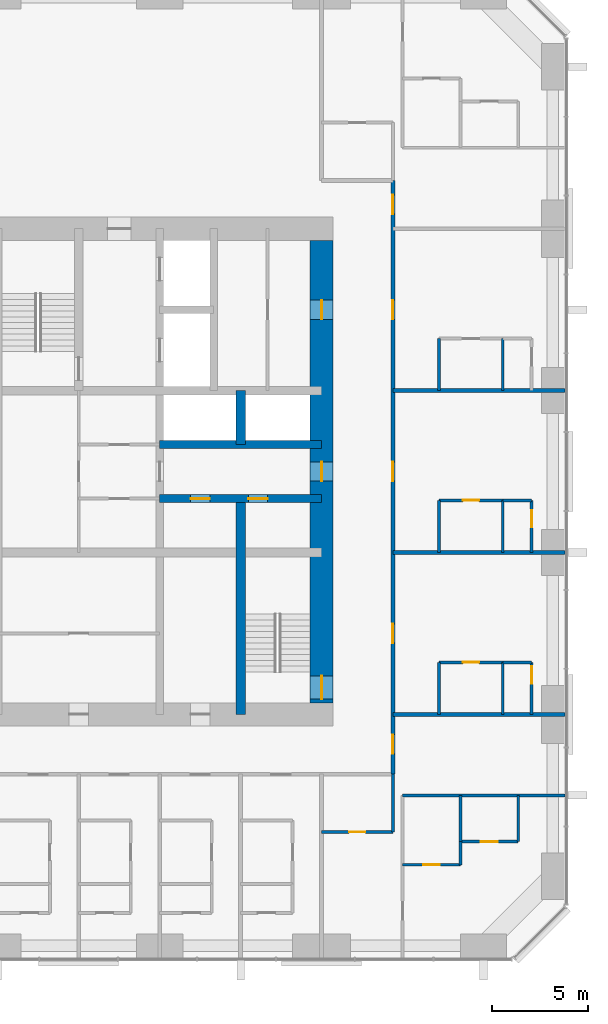
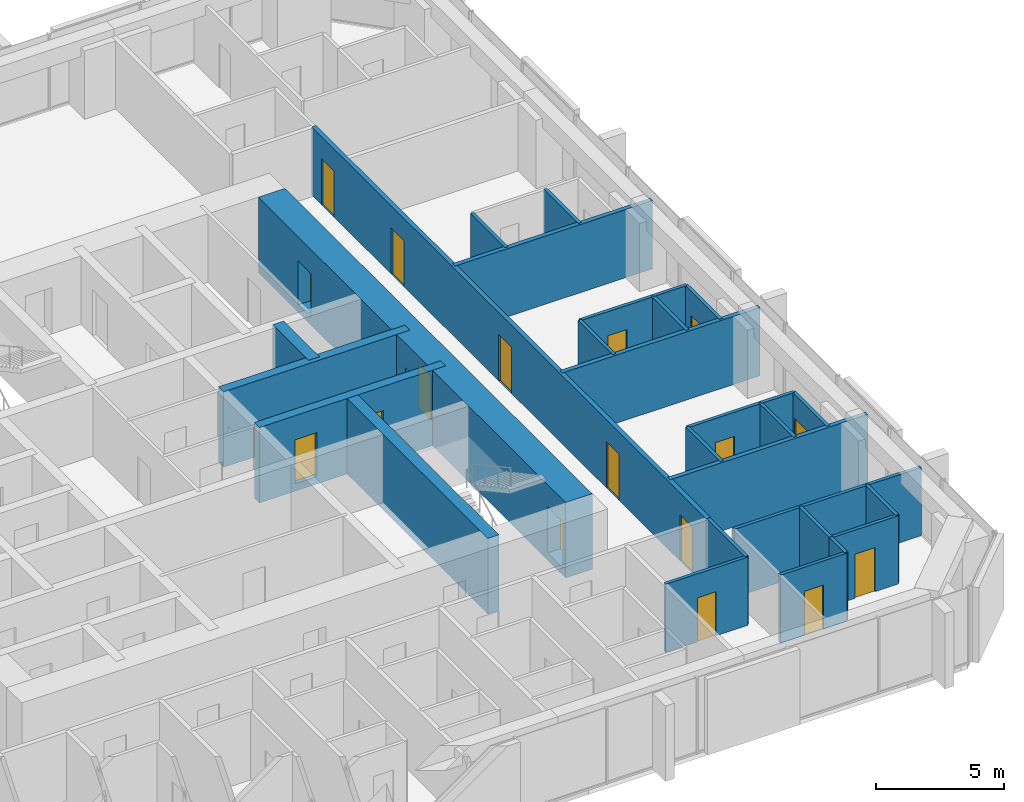
# One storey, part 11 of 14: 29 walls, 17 doors, 17 openings.
"""IFC4 building model written with IfcOpenShell, lengths in metres."""

from ifc_helpers import new_model, si_unit, direction, frame, frame_2d, origin, place, context, subcontext, project, spatial, rectangle, extrude, material, layer, layer_set, type_object, element, fill, save


model = new_model("IFC4")

# Units and contexts
model_context = context("Model", 3, precision=1e-05, world=origin(), true_north=direction((0.0, 1.0)))
body_context = subcontext(model_context, "Body", "Model", "MODEL_VIEW")
ifc_project = project(units=[si_unit("LENGTHUNIT", "METRE"), si_unit("AREAUNIT", "SQUARE_METRE"), si_unit("VOLUMEUNIT", "CUBIC_METRE"), si_unit("PLANEANGLEUNIT", "RADIAN"), si_unit("MASSUNIT", "GRAM", prefix="KILO")], contexts=[model_context])

# Site, building, storey
site_placement = place(None, origin())
site = spatial("IfcSite", under=ifc_project, at=site_placement, CompositionType="ELEMENT")
building_placement = place(site_placement, origin())
building = spatial("IfcBuilding", under=site, at=building_placement, Name="Dunama Terrace Hotel", CompositionType="ELEMENT")
storey_placement = place(building_placement, frame((0.0, 0.0, 213.0)))
storey = spatial("IfcBuildingStorey", under=building, at=storey_placement, Name="L55", CompositionType="ELEMENT", Elevation=213.0)

# Walls
ifc_material_1 = material(Name="Gypsum board partition", Category="masonry")
ifc_layer_1 = layer(ifc_material_1, 0.14990234375)
ifc_layer_set_1 = layer_set([ifc_layer_1], Name="Bathroom partition 150")
wall_type_1 = type_object("IfcWallType", Name="Bathroom partition 150", PredefinedType="PARTITIONING", material=ifc_layer_set_1)
wall_1_placement = place(storey_placement, frame((45.699951171875, 10.699951171875, 0.0), z_axis=(0.0, 0.0, 1.0), x_axis=(0.0, 1.0, 0.0)))
element("IfcWall", 1, at=wall_1_placement, inside=storey, type_object=wall_type_1, Name="Bathroom partition 150 L55", PredefinedType="PARTITIONING", context=body_context, shape_type="SweptSolid", body=[
    extrude(rectangle(XDim=3.0, YDim=0.14990234375, at=frame_2d((1.5, 0.0))), origin(), (0.0, 0.0, 1.0), 3.25),
])
for number, where, z_axis, x_axis, name in (
    (2, (48.10009765625, 16.800048828125, 0.0), (0.0, 0.0, 1.0), (0.0, 1.0, 0.0), "Bathroom partition 150 L55"),
    (3, (48.10009765625, 25.199951171875, 0.0), (0.0, 0.0, 1.0), (0.0, 1.0, 0.0), "Bathroom partition 150 L55"),
    (4, (48.10009765625, 33.60009765625, 0.0), (0.0, 0.0, 1.0), (0.0, 1.0, 0.0), "Bathroom partition 150 L55"),
):
    element("IfcWall", number, at=place(storey_placement, frame(where, z_axis=z_axis, x_axis=x_axis)), inside=storey, type_object=wall_type_1, Name=name, PredefinedType="PARTITIONING", context=body_context, shape_type="SweptSolid", body=[
        extrude(rectangle(XDim=2.699951171875, YDim=0.14990234375, at=frame_2d((1.35009765625, 0.0))), origin(), (0.0, 0.0, 1.0), 3.25),
    ])
wall_2_placement = place(storey_placement, frame((49.199951171875, 9.0, 0.0), z_axis=(0.0, 0.0, 1.0), x_axis=(0.0, 1.0, 0.0)))
element("IfcWall", 5, at=wall_2_placement, inside=storey, type_object=wall_type_1, Name="Bathroom partition 150 L55", PredefinedType="PARTITIONING", context=body_context, shape_type="SweptSolid", body=[
    extrude(rectangle(XDim=1.199951171875, YDim=0.14990234375, at=frame_2d((0.60009765625, 0.0))), origin(), (0.0, 0.0, 1.0), 3.25),
])

# Wall, opening, door
wall_3_placement = place(storey_placement, frame((46.199951171875, 9.0, 0.0), z_axis=(0.0, 0.0, 1.0), x_axis=(1.0, 0.0, 0.0)))
wall_3 = element("IfcWall", 6, at=wall_3_placement, inside=storey, type_object=wall_type_1, Name="Bathroom partition 150 L55", PredefinedType="PARTITIONING", context=body_context, shape_type="SweptSolid", body=[
    extrude(rectangle(XDim=3.0, YDim=0.14990234375, at=frame_2d((1.5, 0.0))), origin(), (0.0, 0.0, 1.0), 3.25),
])
opening_1_placement = place(wall_3_placement, frame((1.074951171875, 0.0, 0.0)))
opening_1 = element("IfcOpeningElement", 7, at=opening_1_placement, cuts=wall_3, Name="Opening L55-056", PredefinedType="OPENING", context=body_context, shape_type="SweptSolid", body=[
    extrude(rectangle(XDim=0.85009765625, YDim=2.10009765625, at=frame_2d((0.425048828125, 1.050048828125))), frame((0.0, 0.0849609375, 0.0), z_axis=(0.0, -1.0, 0.0), x_axis=(1.0, 0.0, 0.0)), (0.0, 0.0, 1.0), 0.169921875),
])
ifc_material_2 = material(Name="Timber door with steel frame", Category="steel")
door_type_1 = type_object("IfcDoorType", Name="Bathroom door 850", OperationType="SINGLE_SWING_LEFT", PredefinedType="DOOR", material=ifc_material_2)
door_1_placement = place(opening_1_placement, origin())
door_1 = element("IfcDoor", 8, at=door_1_placement, inside=storey, type_object=door_type_1, Name="Door to en-suite bathroom L55-056, type D2", OperationType="SINGLE_SWING_RIGHT", OverallHeight=2.10009765625, OverallWidth=0.85009765625, PredefinedType="DOOR", context=body_context, shape_type="SweptSolid", body=[
    extrude(rectangle(XDim=0.85009765625, YDim=2.10009765625, at=frame_2d((0.425048828125, 1.050048828125))), frame((0.0, 0.02490234375, 0.0), z_axis=(0.0, -1.0, 0.0), x_axis=(1.0, 0.0, 0.0)), (0.0, 0.0, 1.0), 0.050048828125),
])
fill(opening_1, door_1)

wall_4_placement = place(storey_placement, frame((42.0, 10.699951171875, 0.0), z_axis=(0.0, 0.0, 1.0), x_axis=(1.0, 0.0, 0.0)))
wall_4 = element("IfcWall", 9, at=wall_4_placement, inside=storey, type_object=wall_type_1, Name="Bathroom partition 150 L55", PredefinedType="PARTITIONING", context=body_context, shape_type="SweptSolid", body=[
    extrude(rectangle(XDim=3.699951171875, YDim=0.14990234375, at=frame_2d((1.85009765625, 0.0))), origin(), (0.0, 0.0, 1.0), 3.25),
])
opening_2_placement = place(wall_4_placement, frame((1.425048828125, 0.0, 0.0)))
opening_2 = element("IfcOpeningElement", 10, at=opening_2_placement, cuts=wall_4, Name="Opening L55-054", PredefinedType="OPENING", context=body_context, shape_type="SweptSolid", body=[
    extrude(rectangle(XDim=0.85009765625, YDim=2.10009765625, at=frame_2d((0.425048828125, 1.050048828125))), frame((0.0, 0.0849609375, 0.0), z_axis=(0.0, -1.0, 0.0), x_axis=(1.0, 0.0, 0.0)), (0.0, 0.0, 1.0), 0.169921875),
])
door_2_placement = place(opening_2_placement, origin())
door_2 = element("IfcDoor", 11, at=door_2_placement, inside=storey, type_object=door_type_1, Name="Door to powder room L55-054, type D2", OperationType="SINGLE_SWING_LEFT", OverallHeight=2.10009765625, OverallWidth=0.85009765625, PredefinedType="DOOR", context=body_context, shape_type="SweptSolid", body=[
    extrude(rectangle(XDim=0.85009765625, YDim=2.10009765625, at=frame_2d((0.425048828125, 1.050048828125))), frame((0.0, 0.02490234375, 0.0), z_axis=(0.0, -1.0, 0.0), x_axis=(1.0, 0.0, 0.0)), (0.0, 0.0, 1.0), 0.050048828125),
])
fill(opening_2, door_2)

wall_5_placement = place(storey_placement, frame((48.10009765625, 19.5, 0.0), z_axis=(0.0, 0.0, 1.0), x_axis=(1.0, 0.0, 0.0)))
wall_5 = element("IfcWall", 12, at=wall_5_placement, inside=storey, type_object=wall_type_1, Name="Bathroom partition 150 L55", PredefinedType="PARTITIONING", context=body_context, shape_type="SweptSolid", body=[
    extrude(rectangle(XDim=3.2998046875, YDim=0.14990234375, at=frame_2d((1.64990234375, 0.0))), origin(), (0.0, 0.0, 1.0), 3.25),
])
opening_3_placement = place(wall_5_placement, frame((1.22509765625, 0.0, 0.0)))
opening_3 = element("IfcOpeningElement", 13, at=opening_3_placement, cuts=wall_5, Name="Opening L55-028", PredefinedType="OPENING", context=body_context, shape_type="SweptSolid", body=[
    extrude(rectangle(XDim=0.85009765625, YDim=2.10009765625, at=frame_2d((0.425048828125, 1.050048828125))), frame((0.0, 0.0849609375, 0.0), z_axis=(0.0, -1.0, 0.0), x_axis=(1.0, 0.0, 0.0)), (0.0, 0.0, 1.0), 0.169921875),
])
door_3_placement = place(opening_3_placement, frame((0.85009765625, 0.0, 0.0), z_axis=(0.0, 0.0, 1.0), x_axis=(-1.0, 0.0, 0.0)))
door_3 = element("IfcDoor", 14, at=door_3_placement, inside=storey, type_object=door_type_1, Name="Door to en-suite bathroom L55-028, type D2", OperationType="SINGLE_SWING_LEFT", OverallHeight=2.10009765625, OverallWidth=0.85009765625, PredefinedType="DOOR", context=body_context, shape_type="SweptSolid", body=[
    extrude(rectangle(XDim=0.85009765625, YDim=2.10009765625, at=frame_2d((0.425048828125, 1.050048828125))), frame((0.0, 0.025146484375, 0.0), z_axis=(0.0, -1.0, 0.0), x_axis=(1.0, 0.0, 0.0)), (0.0, 0.0, 1.0), 0.050048828125),
])
fill(opening_3, door_3)

wall_6_placement = place(storey_placement, frame((48.10009765625, 27.89990234375, 0.0), z_axis=(0.0, 0.0, 1.0), x_axis=(1.0, 0.0, 0.0)))
wall_6 = element("IfcWall", 15, at=wall_6_placement, inside=storey, type_object=wall_type_1, Name="Bathroom partition 150 L55", PredefinedType="PARTITIONING", context=body_context, shape_type="SweptSolid", body=[
    extrude(rectangle(XDim=3.2998046875, YDim=0.14990234375, at=frame_2d((1.64990234375, 0.0))), origin(), (0.0, 0.0, 1.0), 3.25),
])
opening_4_placement = place(wall_6_placement, frame((1.22509765625, 0.0, 0.0)))
opening_4 = element("IfcOpeningElement", 16, at=opening_4_placement, cuts=wall_6, Name="Opening L55-031", PredefinedType="OPENING", context=body_context, shape_type="SweptSolid", body=[
    extrude(rectangle(XDim=0.85009765625, YDim=2.10009765625, at=frame_2d((0.425048828125, 1.050048828125))), frame((0.0, 0.0849609375, 0.0), z_axis=(0.0, -1.0, 0.0), x_axis=(1.0, 0.0, 0.0)), (0.0, 0.0, 1.0), 0.169921875),
])
door_4_placement = place(opening_4_placement, frame((0.85009765625, 0.0, 0.0), z_axis=(0.0, 0.0, 1.0), x_axis=(-1.0, 0.0, 0.0)))
door_4 = element("IfcDoor", 17, at=door_4_placement, inside=storey, type_object=door_type_1, Name="Door to en-suite bathroom L55-031, type D2", OperationType="SINGLE_SWING_LEFT", OverallHeight=2.10009765625, OverallWidth=0.85009765625, PredefinedType="DOOR", context=body_context, shape_type="SweptSolid", body=[
    extrude(rectangle(XDim=0.85009765625, YDim=2.10009765625, at=frame_2d((0.425048828125, 1.050048828125))), frame((0.0, 0.025146484375, 0.0), z_axis=(0.0, -1.0, 0.0), x_axis=(1.0, 0.0, 0.0)), (0.0, 0.0, 1.0), 0.050048828125),
])
fill(opening_4, door_4)

# Wall, openings, doors
ifc_material_3 = material(Name="Concrete C50/60", Category="concrete")
ifc_layer_2 = layer(ifc_material_3, 0.39990234375)
ifc_layer_set_2 = layer_set([ifc_layer_2], Name="Core inner wall 400")
wall_type_2 = type_object("IfcWallType", Name="Core inner wall 400", PredefinedType="SHEAR", material=ifc_layer_set_2)
wall_7_placement = place(storey_placement, frame((33.60009765625, 28.0, -0.35009765625), z_axis=(0.0, 0.0, 1.0), x_axis=(1.0, 0.0, 0.0)))
wall_7 = element("IfcWall", 18, at=wall_7_placement, inside=storey, type_object=wall_type_2, Name="Core inner wall 400 L55", PredefinedType="SHEAR", context=body_context, shape_type="SweptSolid", body=[
    extrude(rectangle(XDim=8.39990234375, YDim=0.39990234375, at=frame_2d((4.199951171875, 0.0))), origin(), (0.0, 0.0, 1.0), 3.60009765625),
])
opening_5_placement = place(wall_7_placement, frame((1.60009765625, 0.0, 0.35009765625)))
opening_5 = element("IfcOpeningElement", 19, at=opening_5_placement, cuts=wall_7, Name="Opening L55-080", PredefinedType="OPENING", context=body_context, shape_type="SweptSolid", body=[
    extrude(rectangle(XDim=1.0, YDim=2.10009765625, at=frame_2d((0.5, 1.050048828125))), frame((0.0, 0.2099609375, 0.0), z_axis=(0.0, -1.0, 0.0), x_axis=(1.0, 0.0, 0.0)), (0.0, 0.0, 1.0), 0.419921875),
])
opening_6_placement = place(wall_7_placement, frame((4.60009765625, 0.0, 0.35009765625)))
opening_6 = element("IfcOpeningElement", 20, at=opening_6_placement, cuts=wall_7, Name="Opening L55-081", PredefinedType="OPENING", context=body_context, shape_type="SweptSolid", body=[
    extrude(rectangle(XDim=1.0, YDim=2.10009765625, at=frame_2d((0.5, 1.050048828125))), frame((0.0, 0.2099609375, 0.0), z_axis=(0.0, -1.0, 0.0), x_axis=(1.0, 0.0, 0.0)), (0.0, 0.0, 1.0), 0.419921875),
])
ifc_material_4 = material(Name="Timber door with steel frame", Category="steel")
door_type_2 = type_object("IfcDoorType", Name="Service door 1000", OperationType="SINGLE_SWING_LEFT", PredefinedType="DOOR", material=ifc_material_4)
door_5_placement = place(opening_5_placement, frame((1.0, 0.0, 0.0), z_axis=(0.0, 0.0, 1.0), x_axis=(-1.0, 0.0, 0.0)))
door_5 = element("IfcDoor", 21, at=door_5_placement, inside=storey, type_object=door_type_2, Name="Door to service riser L55-080, type D7", OperationType="SINGLE_SWING_LEFT", OverallHeight=2.10009765625, OverallWidth=1.0, PredefinedType="DOOR", context=body_context, shape_type="SweptSolid", body=[
    extrude(rectangle(XDim=1.0, YDim=2.10009765625, at=frame_2d((0.5, 1.050048828125))), frame((0.0, 0.025146484375, 0.0), z_axis=(0.0, -1.0, 0.0), x_axis=(1.0, 0.0, 0.0)), (0.0, 0.0, 1.0), 0.050048828125),
])
fill(opening_5, door_5)
door_6_placement = place(opening_6_placement, frame((1.0, 0.0, 0.0), z_axis=(0.0, 0.0, 1.0), x_axis=(-1.0, 0.0, 0.0)))
door_6 = element("IfcDoor", 22, at=door_6_placement, inside=storey, type_object=door_type_2, Name="Door to cleaners store L55-081, type D7", OperationType="SINGLE_SWING_RIGHT", OverallHeight=2.10009765625, OverallWidth=1.0, PredefinedType="DOOR", context=body_context, shape_type="SweptSolid", body=[
    extrude(rectangle(XDim=1.0, YDim=2.10009765625, at=frame_2d((0.5, 1.050048828125))), frame((0.0, 0.025146484375, 0.0), z_axis=(0.0, -1.0, 0.0), x_axis=(1.0, 0.0, 0.0)), (0.0, 0.0, 1.0), 0.050048828125),
])
fill(opening_6, door_6)

# Walls
wall_8_placement = place(storey_placement, frame((33.60009765625, 30.800048828125, -0.35009765625), z_axis=(0.0, 0.0, 1.0), x_axis=(1.0, 0.0, 0.0)))
element("IfcWall", 23, at=wall_8_placement, inside=storey, type_object=wall_type_2, Name="Core inner wall 400 L55", PredefinedType="SHEAR", context=body_context, shape_type="SweptSolid", body=[
    extrude(rectangle(XDim=8.39990234375, YDim=0.39990234375, at=frame_2d((4.199951171875, 0.0))), origin(), (0.0, 0.0, 1.0), 3.60009765625),
])
ifc_material_5 = material(Name="Concrete C50/60", Category="concrete")
ifc_layer_3 = layer(ifc_material_5, 0.5)
ifc_layer_set_3 = layer_set([ifc_layer_3], Name="Core inner wall 500")
wall_type_3 = type_object("IfcWallType", Name="Core inner wall 500", PredefinedType="SHEAR", material=ifc_layer_set_3)
wall_9_placement = place(storey_placement, frame((37.800048828125, 16.800048828125, -0.35009765625), z_axis=(0.0, 0.0, 1.0), x_axis=(0.0, 1.0, 0.0)))
element("IfcWall", 24, at=wall_9_placement, inside=storey, type_object=wall_type_3, Name="Core inner wall 500 L55", PredefinedType="SHEAR", context=body_context, shape_type="SweptSolid", body=[
    extrude(rectangle(XDim=11.199951171875, YDim=0.5, at=frame_2d((5.60009765625, 0.0))), origin(), (0.0, 0.0, 1.0), 3.60009765625),
])
wall_10_placement = place(storey_placement, frame((37.800048828125, 30.800048828125, -0.35009765625), z_axis=(0.0, 0.0, 1.0), x_axis=(0.0, 1.0, 0.0)))
element("IfcWall", 25, at=wall_10_placement, inside=storey, type_object=wall_type_3, Name="Core inner wall 500 L55", PredefinedType="SHEAR", context=body_context, shape_type="SweptSolid", body=[
    extrude(rectangle(XDim=2.800048828125, YDim=0.5, at=frame_2d((1.39990234375, 0.0))), origin(), (0.0, 0.0, 1.0), 3.60009765625),
])

# Wall, openings, doors
ifc_material_6 = material(Name="Concrete C60/75", Category="concrete")
ifc_layer_4 = layer(ifc_material_6, 1.199951171875)
ifc_layer_set_4 = layer_set([ifc_layer_4], Name="Core wall 1200")
wall_type_4 = type_object("IfcWallType", Name="Core wall 1200", PredefinedType="SHEAR", material=ifc_layer_set_4)
wall_11_placement = place(storey_placement, frame((42.0, 17.39990234375, -0.35009765625), z_axis=(0.0, 0.0, 1.0), x_axis=(0.0, 1.0, 0.0)))
wall_11 = element("IfcWall", 26, at=wall_11_placement, inside=storey, type_object=wall_type_4, Name="Core wall east L55", PredefinedType="SHEAR", context=body_context, shape_type="SweptSolid", body=[
    extrude(rectangle(XDim=24.0, YDim=1.199951171875, at=frame_2d((12.0, 0.0))), origin(), (0.0, 0.0, 1.0), 3.60009765625),
])
opening_7_placement = place(wall_11_placement, frame((0.199951171875, 0.0, 0.35009765625)))
opening_7 = element("IfcOpeningElement", 27, at=opening_7_placement, cuts=wall_11, Name="Opening L55-002", PredefinedType="OPENING", context=body_context, shape_type="SweptSolid", body=[
    extrude(rectangle(XDim=1.199951171875, YDim=2.199951171875, at=frame_2d((0.60009765625, 1.10009765625))), frame((0.0, 0.60986328125, 0.0), z_axis=(0.0, -1.0, 0.0), x_axis=(1.0, 0.0, 0.0)), (0.0, 0.0, 1.0), 1.219970703125),
])
opening_8_placement = place(wall_11_placement, frame((11.5, 0.0, 0.35009765625)))
opening_8 = element("IfcOpeningElement", 28, at=opening_8_placement, cuts=wall_11, Name="Opening L55-082", PredefinedType="OPENING", context=body_context, shape_type="SweptSolid", body=[
    extrude(rectangle(XDim=1.0, YDim=2.10009765625, at=frame_2d((0.5, 1.050048828125))), frame((0.0, 0.60986328125, 0.0), z_axis=(0.0, -1.0, 0.0), x_axis=(1.0, 0.0, 0.0)), (0.0, 0.0, 1.0), 1.219970703125),
])
opening_9_placement = place(wall_11_placement, frame((19.89990234375, 0.0, 0.35009765625)))
opening_9 = element("IfcOpeningElement", 29, at=opening_9_placement, cuts=wall_11, Name="Opening L55-084", PredefinedType="OPENING", context=body_context, shape_type="SweptSolid", body=[
    extrude(rectangle(XDim=1.0, YDim=2.10009765625, at=frame_2d((0.5, 1.050048828125))), frame((0.0, 0.60986328125, 0.0), z_axis=(0.0, -1.0, 0.0), x_axis=(1.0, 0.0, 0.0)), (0.0, 0.0, 1.0), 1.219970703125),
])
door_7_placement = place(opening_8_placement, origin())
door_7 = element("IfcDoor", 30, at=door_7_placement, inside=storey, type_object=door_type_2, Name="Door to service lobby L55-082, type D7", OperationType="SINGLE_SWING_LEFT", OverallHeight=2.10009765625, OverallWidth=1.0, PredefinedType="DOOR", context=body_context, shape_type="SweptSolid", body=[
    extrude(rectangle(XDim=1.0, YDim=2.10009765625, at=frame_2d((0.5, 1.050048828125))), frame((0.0, 0.02490234375, 0.0), z_axis=(0.0, -1.0, 0.0), x_axis=(1.0, 0.0, 0.0)), (0.0, 0.0, 1.0), 0.050048828125),
])
fill(opening_8, door_7)
door_8_placement = place(opening_9_placement, origin())
door_8 = element("IfcDoor", 31, at=door_8_placement, inside=storey, type_object=door_type_2, Name="Door to guest pantry L55-084, type D7", OperationType="SINGLE_SWING_LEFT", OverallHeight=2.10009765625, OverallWidth=1.0, PredefinedType="DOOR", context=body_context, shape_type="SweptSolid", body=[
    extrude(rectangle(XDim=1.0, YDim=2.10009765625, at=frame_2d((0.5, 1.050048828125))), frame((0.0, 0.02490234375, 0.0), z_axis=(0.0, -1.0, 0.0), x_axis=(1.0, 0.0, 0.0)), (0.0, 0.0, 1.0), 0.050048828125),
])
fill(opening_9, door_8)
ifc_material_7 = material(Name="Timber door with steel frame", Category="steel")
door_type_3 = type_object("IfcDoorType", Name="Stair door 1200", OperationType="SINGLE_SWING_LEFT", PredefinedType="DOOR", material=ifc_material_7)
door_9_placement = place(opening_7_placement, origin())
door_9 = element("IfcDoor", 32, at=door_9_placement, inside=storey, type_object=door_type_3, Name="Stair door ST2 L55-002, type D5", OperationType="SINGLE_SWING_LEFT", OverallHeight=2.199951171875, OverallWidth=1.199951171875, PredefinedType="DOOR", context=body_context, shape_type="SweptSolid", body=[
    extrude(rectangle(XDim=1.199951171875, YDim=2.199951171875, at=frame_2d((0.60009765625, 1.10009765625))), frame((0.0, 0.02490234375, 0.0), z_axis=(0.0, -1.0, 0.0), x_axis=(1.0, 0.0, 0.0)), (0.0, 0.0, 1.0), 0.050048828125),
])
fill(opening_7, door_9)

ifc_material_8 = material(Name="Concrete blockwork", Category="masonry")
ifc_layer_5 = layer(ifc_material_8, 0.199951171875)
ifc_layer_set_5 = layer_set([ifc_layer_5], Name="Corridor partition 200")
wall_type_5 = type_object("IfcWallType", Name="Corridor partition 200", PredefinedType="PARTITIONING", material=ifc_layer_set_5)
wall_12_placement = place(storey_placement, frame((45.699951171875, 44.5, 0.0), z_axis=(0.0, 0.0, 1.0), x_axis=(0.0, -1.0, 0.0)))
wall_12 = element("IfcWall", 33, at=wall_12_placement, inside=storey, type_object=wall_type_5, Name="Corridor partition 200 L55", PredefinedType="PARTITIONING", context=body_context, shape_type="SweptSolid", body=[
    extrude(rectangle(XDim=30.800048828125, YDim=0.199951171875, at=frame_2d((15.39990234375, 0.0))), origin(), (0.0, 0.0, 1.0), 3.25),
])
opening_10_placement = place(wall_12_placement, frame((23.0, 0.0, 0.0)))
opening_10 = element("IfcOpeningElement", 34, at=opening_10_placement, cuts=wall_12, Name="Opening L55-027", PredefinedType="OPENING", context=body_context, shape_type="SweptSolid", body=[
    extrude(rectangle(XDim=1.0, YDim=2.199951171875, at=frame_2d((0.5, 1.10009765625))), frame((0.0, 0.10986328125, 0.0), z_axis=(0.0, -1.0, 0.0), x_axis=(1.0, 0.0, 0.0)), (0.0, 0.0, 1.0), 0.219970703125),
])
opening_11_placement = place(wall_12_placement, frame((14.60009765625, 0.0, 0.0)))
opening_11 = element("IfcOpeningElement", 35, at=opening_11_placement, cuts=wall_12, Name="Opening L55-030", PredefinedType="OPENING", context=body_context, shape_type="SweptSolid", body=[
    extrude(rectangle(XDim=1.0, YDim=2.199951171875, at=frame_2d((0.5, 1.10009765625))), frame((0.0, 0.10986328125, 0.0), z_axis=(0.0, -1.0, 0.0), x_axis=(1.0, 0.0, 0.0)), (0.0, 0.0, 1.0), 0.219970703125),
])
opening_12_placement = place(wall_12_placement, frame((6.199951171875, 0.0, 0.0)))
opening_12 = element("IfcOpeningElement", 36, at=opening_12_placement, cuts=wall_12, Name="Opening L55-033", PredefinedType="OPENING", context=body_context, shape_type="SweptSolid", body=[
    extrude(rectangle(XDim=1.0, YDim=2.199951171875, at=frame_2d((0.5, 1.10009765625))), frame((0.0, 0.10986328125, 0.0), z_axis=(0.0, -1.0, 0.0), x_axis=(1.0, 0.0, 0.0)), (0.0, 0.0, 1.0), 0.219970703125),
])
opening_13_placement = place(wall_12_placement, frame((28.75, 0.0, 0.0)))
opening_13 = element("IfcOpeningElement", 37, at=opening_13_placement, cuts=wall_12, Name="Opening L55-053", PredefinedType="OPENING", context=body_context, shape_type="SweptSolid", body=[
    extrude(rectangle(XDim=1.0, YDim=2.199951171875, at=frame_2d((0.5, 1.10009765625))), frame((0.0, 0.10986328125, 0.0), z_axis=(0.0, -1.0, 0.0), x_axis=(1.0, 0.0, 0.0)), (0.0, 0.0, 1.0), 0.219970703125),
])
opening_14_placement = place(wall_12_placement, frame((0.75, 0.0, 0.0)))
opening_14 = element("IfcOpeningElement", 38, at=opening_14_placement, cuts=wall_12, Name="Opening L55-058", PredefinedType="OPENING", context=body_context, shape_type="SweptSolid", body=[
    extrude(rectangle(XDim=1.0, YDim=2.199951171875, at=frame_2d((0.5, 1.10009765625))), frame((0.0, 0.10986328125, 0.0), z_axis=(0.0, -1.0, 0.0), x_axis=(1.0, 0.0, 0.0)), (0.0, 0.0, 1.0), 0.219970703125),
])
ifc_material_9 = material(Name="Timber door with steel frame", Category="steel")
door_type_4 = type_object("IfcDoorType", Name="Guest room door 1000", OperationType="SINGLE_SWING_LEFT", PredefinedType="DOOR", material=ifc_material_9)
door_10_placement = place(opening_10_placement, origin())
door_10 = element("IfcDoor", 39, at=door_10_placement, inside=storey, type_object=door_type_4, Name="Door to junior suite L55-027, type D1", OperationType="SINGLE_SWING_RIGHT", OverallHeight=2.199951171875, OverallWidth=1.0, PredefinedType="DOOR", context=body_context, shape_type="SweptSolid", body=[
    extrude(rectangle(XDim=1.0, YDim=2.199951171875, at=frame_2d((0.5, 1.10009765625))), frame((0.0, 0.02490234375, 0.0), z_axis=(0.0, -1.0, 0.0), x_axis=(1.0, 0.0, 0.0)), (0.0, 0.0, 1.0), 0.050048828125),
])
fill(opening_10, door_10)
door_11_placement = place(opening_11_placement, origin())
door_11 = element("IfcDoor", 40, at=door_11_placement, inside=storey, type_object=door_type_4, Name="Door to junior suite L55-030, type D1", OperationType="SINGLE_SWING_RIGHT", OverallHeight=2.199951171875, OverallWidth=1.0, PredefinedType="DOOR", context=body_context, shape_type="SweptSolid", body=[
    extrude(rectangle(XDim=1.0, YDim=2.199951171875, at=frame_2d((0.5, 1.10009765625))), frame((0.0, 0.02490234375, 0.0), z_axis=(0.0, -1.0, 0.0), x_axis=(1.0, 0.0, 0.0)), (0.0, 0.0, 1.0), 0.050048828125),
])
fill(opening_11, door_11)
door_12_placement = place(opening_12_placement, origin())
door_12 = element("IfcDoor", 41, at=door_12_placement, inside=storey, type_object=door_type_4, Name="Door to junior suite L55-033, type D1", OperationType="SINGLE_SWING_RIGHT", OverallHeight=2.199951171875, OverallWidth=1.0, PredefinedType="DOOR", context=body_context, shape_type="SweptSolid", body=[
    extrude(rectangle(XDim=1.0, YDim=2.199951171875, at=frame_2d((0.5, 1.10009765625))), frame((0.0, 0.02490234375, 0.0), z_axis=(0.0, -1.0, 0.0), x_axis=(1.0, 0.0, 0.0)), (0.0, 0.0, 1.0), 0.050048828125),
])
fill(opening_12, door_12)
door_13_placement = place(opening_13_placement, origin())
door_13 = element("IfcDoor", 42, at=door_13_placement, inside=storey, type_object=door_type_4, Name="Door to corner suite living room L55-053, type D1", OperationType="SINGLE_SWING_LEFT", OverallHeight=2.199951171875, OverallWidth=1.0, PredefinedType="DOOR", context=body_context, shape_type="SweptSolid", body=[
    extrude(rectangle(XDim=1.0, YDim=2.199951171875, at=frame_2d((0.5, 1.10009765625))), frame((0.0, 0.02490234375, 0.0), z_axis=(0.0, -1.0, 0.0), x_axis=(1.0, 0.0, 0.0)), (0.0, 0.0, 1.0), 0.050048828125),
])
fill(opening_13, door_13)
door_14_placement = place(opening_14_placement, origin())
door_14 = element("IfcDoor", 43, at=door_14_placement, inside=storey, type_object=door_type_4, Name="Door to corner suite living room L55-058, type D1", OperationType="SINGLE_SWING_LEFT", OverallHeight=2.199951171875, OverallWidth=1.0, PredefinedType="DOOR", context=body_context, shape_type="SweptSolid", body=[
    extrude(rectangle(XDim=1.0, YDim=2.199951171875, at=frame_2d((0.5, 1.10009765625))), frame((0.0, 0.02490234375, 0.0), z_axis=(0.0, -1.0, 0.0), x_axis=(1.0, 0.0, 0.0)), (0.0, 0.0, 1.0), 0.050048828125),
])
fill(opening_14, door_14)

# Walls
ifc_material_10 = material(Name="Concrete blockwork", Category="masonry")
ifc_layer_6 = layer(ifc_material_10, 0.199951171875)
ifc_layer_set_6 = layer_set([ifc_layer_6], Name="Party wall 200")
wall_type_6 = type_object("IfcWallType", Name="Party wall 200", PredefinedType="PARTITIONING", material=ifc_layer_set_6)
for number, where, z_axis, x_axis, name in (
    (44, (45.699951171875, 16.800048828125, 0.0), (0.0, 0.0, 1.0), (1.0, 0.0, 0.0), "Party wall 200 L55"),
    (45, (45.699951171875, 25.199951171875, 0.0), (0.0, 0.0, 1.0), (1.0, 0.0, 0.0), "Party wall 200 L55"),
    (46, (45.699951171875, 33.60009765625, 0.0), (0.0, 0.0, 1.0), (1.0, 0.0, 0.0), "Party wall 200 L55"),
):
    element("IfcWall", number, at=place(storey_placement, frame(where, z_axis=z_axis, x_axis=x_axis)), inside=storey, type_object=wall_type_6, Name=name, PredefinedType="PARTITIONING", context=body_context, shape_type="SweptSolid", body=[
        extrude(rectangle(XDim=8.91796875, YDim=0.199951171875, at=frame_2d((4.458984375, 0.0))), origin(), (0.0, 0.0, 1.0), 3.25),
    ])
ifc_material_11 = material(Name="Gypsum board partition", Category="masonry")
ifc_layer_7 = layer(ifc_material_11, 0.14990234375)
ifc_layer_set_7 = layer_set([ifc_layer_7], Name="Room partition 150")
wall_type_7 = type_object("IfcWallType", Name="Room partition 150", PredefinedType="PARTITIONING", material=ifc_layer_set_7)
wall_13_placement = place(storey_placement, frame((49.199951171875, 10.199951171875, 0.0), z_axis=(0.0, 0.0, 1.0), x_axis=(0.0, 1.0, 0.0)))
element("IfcWall", 47, at=wall_13_placement, inside=storey, type_object=wall_type_7, Name="Room partition 150 L55", PredefinedType="PARTITIONING", context=body_context, shape_type="SweptSolid", body=[
    extrude(rectangle(XDim=2.400146484375, YDim=0.14990234375, at=frame_2d((1.2001953125, 0.0))), origin(), (0.0, 0.0, 1.0), 3.25),
])
for number, where, z_axis, x_axis, name in (
    (48, (51.39990234375, 16.800048828125, 0.0), (0.0, 0.0, 1.0), (0.0, 1.0, 0.0), "Room partition 150 L55"),
    (49, (51.39990234375, 25.199951171875, 0.0), (0.0, 0.0, 1.0), (0.0, 1.0, 0.0), "Room partition 150 L55"),
    (50, (51.39990234375, 33.60009765625, 0.0), (0.0, 0.0, 1.0), (0.0, 1.0, 0.0), "Room partition 150 L55"),
):
    element("IfcWall", number, at=place(storey_placement, frame(where, z_axis=z_axis, x_axis=x_axis)), inside=storey, type_object=wall_type_7, Name=name, PredefinedType="PARTITIONING", context=body_context, shape_type="SweptSolid", body=[
        extrude(rectangle(XDim=2.699951171875, YDim=0.14990234375, at=frame_2d((1.35009765625, 0.0))), origin(), (0.0, 0.0, 1.0), 3.25),
    ])
wall_14_placement = place(storey_placement, frame((52.199951171875, 10.199951171875, 0.0), z_axis=(0.0, 0.0, 1.0), x_axis=(0.0, 1.0, 0.0)))
element("IfcWall", 51, at=wall_14_placement, inside=storey, type_object=wall_type_7, Name="Room partition 150 L55", PredefinedType="PARTITIONING", context=body_context, shape_type="SweptSolid", body=[
    extrude(rectangle(XDim=2.400146484375, YDim=0.14990234375, at=frame_2d((1.2001953125, 0.0))), origin(), (0.0, 0.0, 1.0), 3.25),
])

# Wall, opening, door
wall_15_placement = place(storey_placement, frame((52.89990234375, 16.800048828125, 0.0), z_axis=(0.0, 0.0, 1.0), x_axis=(0.0, 1.0, 0.0)))
wall_15 = element("IfcWall", 52, at=wall_15_placement, inside=storey, type_object=wall_type_7, Name="Room partition 150 L55", PredefinedType="PARTITIONING", context=body_context, shape_type="SweptSolid", body=[
    extrude(rectangle(XDim=2.699951171875, YDim=0.14990234375, at=frame_2d((1.35009765625, 0.0))), origin(), (0.0, 0.0, 1.0), 3.25),
])
opening_15_placement = place(wall_15_placement, frame((1.60009765625, 0.0, 0.0)))
opening_15 = element("IfcOpeningElement", 53, at=opening_15_placement, cuts=wall_15, Name="Opening L55-029", PredefinedType="OPENING", context=body_context, shape_type="SweptSolid", body=[
    extrude(rectangle(XDim=0.89990234375, YDim=2.10009765625, at=frame_2d((0.449951171875, 1.050048828125))), frame((0.0, 0.0849609375, 0.0), z_axis=(0.0, -1.0, 0.0), x_axis=(1.0, 0.0, 0.0)), (0.0, 0.0, 1.0), 0.169921875),
])
ifc_material_12 = material(Name="Timber door with steel frame", Category="steel")
door_type_5 = type_object("IfcDoorType", Name="Suite internal door 900", OperationType="SINGLE_SWING_LEFT", PredefinedType="DOOR", material=ifc_material_12)
door_15_placement = place(opening_15_placement, origin())
door_15 = element("IfcDoor", 54, at=door_15_placement, inside=storey, type_object=door_type_5, Name="Door to walk-in wardrobe L55-029, type D16", OperationType="SINGLE_SWING_LEFT", OverallHeight=2.10009765625, OverallWidth=0.89990234375, PredefinedType="DOOR", context=body_context, shape_type="SweptSolid", body=[
    extrude(rectangle(XDim=0.89990234375, YDim=2.10009765625, at=frame_2d((0.449951171875, 1.050048828125))), frame((0.0, 0.02490234375, 0.0), z_axis=(0.0, -1.0, 0.0), x_axis=(1.0, 0.0, 0.0)), (0.0, 0.0, 1.0), 0.050048828125),
])
fill(opening_15, door_15)

wall_16_placement = place(storey_placement, frame((52.89990234375, 25.199951171875, 0.0), z_axis=(0.0, 0.0, 1.0), x_axis=(0.0, 1.0, 0.0)))
wall_16 = element("IfcWall", 55, at=wall_16_placement, inside=storey, type_object=wall_type_7, Name="Room partition 150 L55", PredefinedType="PARTITIONING", context=body_context, shape_type="SweptSolid", body=[
    extrude(rectangle(XDim=2.699951171875, YDim=0.14990234375, at=frame_2d((1.35009765625, 0.0))), origin(), (0.0, 0.0, 1.0), 3.25),
])
opening_16_placement = place(wall_16_placement, frame((1.300048828125, 0.0, 0.0)))
opening_16 = element("IfcOpeningElement", 56, at=opening_16_placement, cuts=wall_16, Name="Opening L55-032", PredefinedType="OPENING", context=body_context, shape_type="SweptSolid", body=[
    extrude(rectangle(XDim=0.89990234375, YDim=2.10009765625, at=frame_2d((0.449951171875, 1.050048828125))), frame((0.0, 0.0849609375, 0.0), z_axis=(0.0, -1.0, 0.0), x_axis=(1.0, 0.0, 0.0)), (0.0, 0.0, 1.0), 0.169921875),
])
door_16_placement = place(opening_16_placement, origin())
door_16 = element("IfcDoor", 57, at=door_16_placement, inside=storey, type_object=door_type_5, Name="Door to walk-in wardrobe L55-032, type D16", OperationType="SINGLE_SWING_LEFT", OverallHeight=2.10009765625, OverallWidth=0.89990234375, PredefinedType="DOOR", context=body_context, shape_type="SweptSolid", body=[
    extrude(rectangle(XDim=0.89990234375, YDim=2.10009765625, at=frame_2d((0.449951171875, 1.050048828125))), frame((0.0, 0.02490234375, 0.0), z_axis=(0.0, -1.0, 0.0), x_axis=(1.0, 0.0, 0.0)), (0.0, 0.0, 1.0), 0.050048828125),
])
fill(opening_16, door_16)

wall_17_placement = place(storey_placement, frame((49.199951171875, 10.199951171875, 0.0), z_axis=(0.0, 0.0, 1.0), x_axis=(1.0, 0.0, 0.0)))
wall_17 = element("IfcWall", 58, at=wall_17_placement, inside=storey, type_object=wall_type_7, Name="Room partition 150 L55", PredefinedType="PARTITIONING", context=body_context, shape_type="SweptSolid", body=[
    extrude(rectangle(XDim=3.0, YDim=0.14990234375, at=frame_2d((1.5, 0.0))), origin(), (0.0, 0.0, 1.0), 3.25),
])
opening_17_placement = place(wall_17_placement, frame((1.050048828125, 0.0, 0.0)))
opening_17 = element("IfcOpeningElement", 59, at=opening_17_placement, cuts=wall_17, Name="Opening L55-057", PredefinedType="OPENING", context=body_context, shape_type="SweptSolid", body=[
    extrude(rectangle(XDim=0.89990234375, YDim=2.10009765625, at=frame_2d((0.449951171875, 1.050048828125))), frame((0.0, 0.0849609375, 0.0), z_axis=(0.0, -1.0, 0.0), x_axis=(1.0, 0.0, 0.0)), (0.0, 0.0, 1.0), 0.169921875),
])
door_17_placement = place(opening_17_placement, origin())
door_17 = element("IfcDoor", 60, at=door_17_placement, inside=storey, type_object=door_type_5, Name="Door to dressing room L55-057, type D16", OperationType="SINGLE_SWING_LEFT", OverallHeight=2.10009765625, OverallWidth=0.89990234375, PredefinedType="DOOR", context=body_context, shape_type="SweptSolid", body=[
    extrude(rectangle(XDim=0.89990234375, YDim=2.10009765625, at=frame_2d((0.449951171875, 1.050048828125))), frame((0.0, 0.02490234375, 0.0), z_axis=(0.0, -1.0, 0.0), x_axis=(1.0, 0.0, 0.0)), (0.0, 0.0, 1.0), 0.050048828125),
])
fill(opening_17, door_17)

# Walls
wall_18_placement = place(storey_placement, frame((46.199951171875, 12.60009765625, 0.0), z_axis=(0.0, 0.0, 1.0), x_axis=(1.0, 0.0, 0.0)))
element("IfcWall", 61, at=wall_18_placement, inside=storey, type_object=wall_type_7, Name="Room partition 150 L55", PredefinedType="PARTITIONING", context=body_context, shape_type="SweptSolid", body=[
    extrude(rectangle(XDim=8.41796875, YDim=0.14990234375, at=frame_2d((4.208984375, 0.0))), origin(), (0.0, 0.0, 1.0), 3.25),
])
for number, where, z_axis, x_axis, name in (
    (62, (51.39990234375, 19.5, 0.0), (0.0, 0.0, 1.0), (1.0, 0.0, 0.0), "Room partition 150 L55"),
    (63, (51.39990234375, 27.89990234375, 0.0), (0.0, 0.0, 1.0), (1.0, 0.0, 0.0), "Room partition 150 L55"),
):
    element("IfcWall", number, at=place(storey_placement, frame(where, z_axis=z_axis, x_axis=x_axis)), inside=storey, type_object=wall_type_7, Name=name, PredefinedType="PARTITIONING", context=body_context, shape_type="SweptSolid", body=[
        extrude(rectangle(XDim=1.5, YDim=0.14990234375, at=frame_2d((0.75, 0.0))), origin(), (0.0, 0.0, 1.0), 3.25),
    ])

save(model, "model.ifc")
